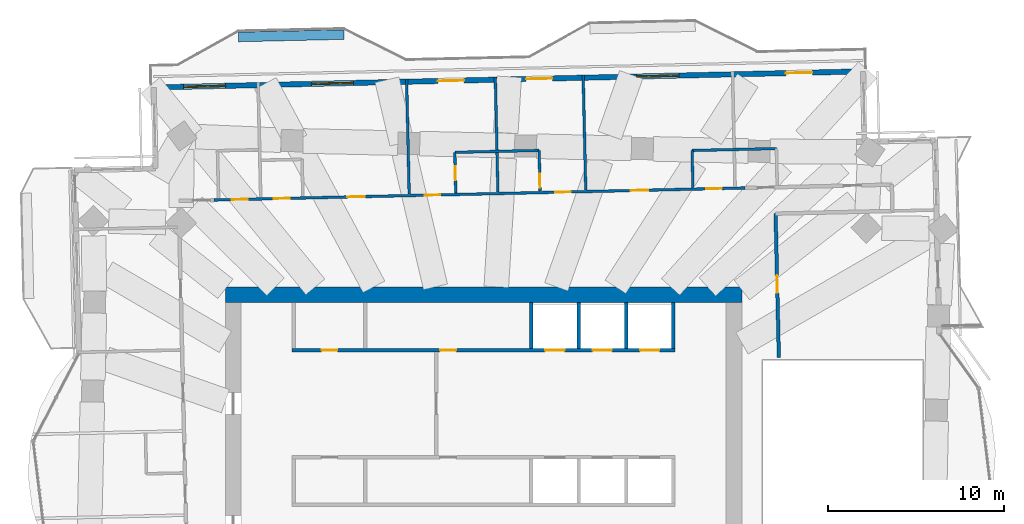
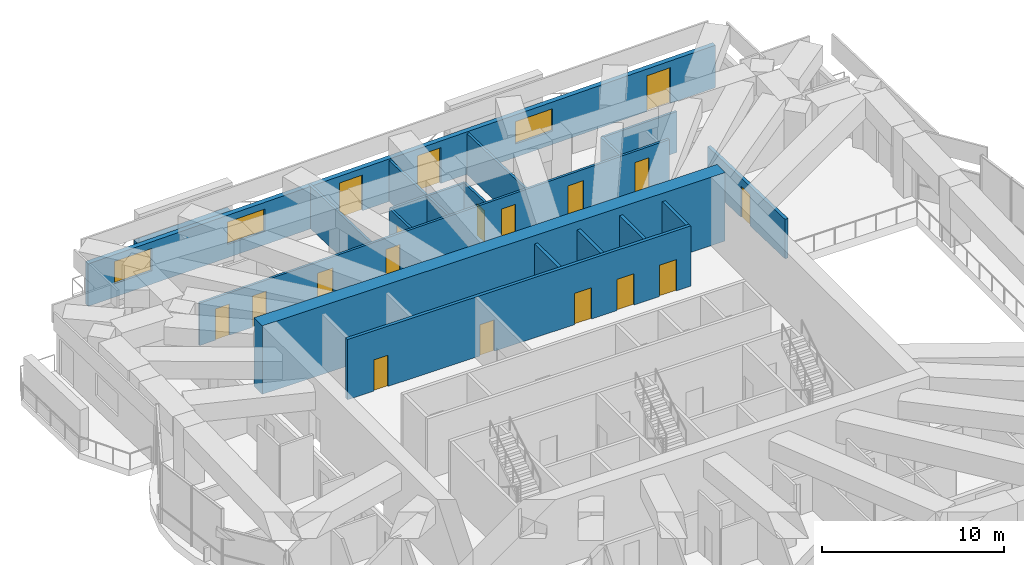
# One storey, part 12 of 17: 18 doors, 18 walls, 3 windows, 21 openings.
"""IFC4 building model written with IfcOpenShell, lengths in metres."""

from ifc_helpers import new_model, si_unit, direction, frame, frame_2d, origin, place, context, subcontext, project, spatial, rectangle, extrude, material, layer, layer_set, type_object, element, fill, save


model = new_model("IFC4")

# Units and contexts
model_context = context("Model", 3, precision=1e-05, world=origin(), true_north=direction((0.0, 1.0)))
body_context = subcontext(model_context, "Body", "Model", "MODEL_VIEW")
ifc_project = project(units=[si_unit("LENGTHUNIT", "METRE"), si_unit("AREAUNIT", "SQUARE_METRE"), si_unit("VOLUMEUNIT", "CUBIC_METRE"), si_unit("PLANEANGLEUNIT", "RADIAN"), si_unit("MASSUNIT", "GRAM", prefix="KILO")], contexts=[model_context])

# Site, building, storey
site_placement = place(None, origin())
site = spatial("IfcSite", under=ifc_project, at=site_placement, CompositionType="ELEMENT")
building_placement = place(site_placement, origin())
building = spatial("IfcBuilding", under=site, at=building_placement, Name="Mangrove Gate Tower", CompositionType="ELEMENT")
storey_placement = place(building_placement, frame((0.0, 0.0, 170.699951171875)))
storey = spatial("IfcBuildingStorey", under=building, at=storey_placement, Name="L43", CompositionType="ELEMENT", Elevation=170.699951171875)

# Wall, openings, doors
ifc_material_1 = material(Name="Concrete C60/75", Category="concrete")
ifc_layer_1 = layer(ifc_material_1, 0.199951171875)
ifc_layer_set_1 = layer_set([ifc_layer_1], Name="Core shaft wall 200 C60/75")
wall_type_1 = type_object("IfcWallType", Name="Core shaft wall 200 C60/75", PredefinedType="SHEAR", material=ifc_layer_set_1)
wall_1_placement = place(storey_placement, frame((-10.89990234375, 8.10009765625, 0.0), z_axis=(0.0, 0.0, 1.0), x_axis=(1.0, 0.0, 0.0)))
wall_1 = element("IfcWall", 1, at=wall_1_placement, inside=storey, type_object=wall_type_1, Name="WALL-L43-CORE-8", PredefinedType="SHEAR", context=body_context, shape_type="SweptSolid", body=[
    extrude(rectangle(XDim=21.7998046875, YDim=0.199951171875, at=frame_2d((10.89990234375, 0.0))), origin(), (0.0, 0.0, 1.0), 4.050048828125),
])
opening_1_placement = place(wall_1_placement, frame((14.39990234375, 0.0, 0.0)))
opening_1 = element("IfcOpeningElement", 2, at=opening_1_placement, cuts=wall_1, Name="Opening LD", PredefinedType="OPENING", context=body_context, shape_type="SweptSolid", body=[
    extrude(rectangle(XDim=1.10009765625, YDim=2.10009765625, at=frame_2d((0.550048828125, 1.050048828125))), frame((0.0, 0.10986328125, 0.0), z_axis=(0.0, -1.0, 0.0), x_axis=(1.0, 0.0, 0.0)), (0.0, 0.0, 1.0), 0.219970703125),
])
opening_2_placement = place(wall_1_placement, frame((17.10009765625, 0.0, 0.0)))
opening_2 = element("IfcOpeningElement", 3, at=opening_2_placement, cuts=wall_1, Name="Opening LD", PredefinedType="OPENING", context=body_context, shape_type="SweptSolid", body=[
    extrude(rectangle(XDim=1.10009765625, YDim=2.10009765625, at=frame_2d((0.550048828125, 1.050048828125))), frame((0.0, 0.10986328125, 0.0), z_axis=(0.0, -1.0, 0.0), x_axis=(1.0, 0.0, 0.0)), (0.0, 0.0, 1.0), 0.219970703125),
])
opening_3_placement = place(wall_1_placement, frame((19.800048828125, 0.0, 0.0)))
opening_3 = element("IfcOpeningElement", 4, at=opening_3_placement, cuts=wall_1, Name="Opening LD", PredefinedType="OPENING", context=body_context, shape_type="SweptSolid", body=[
    extrude(rectangle(XDim=1.10009765625, YDim=2.10009765625, at=frame_2d((0.550048828125, 1.050048828125))), frame((0.0, 0.10986328125, 0.0), z_axis=(0.0, -1.0, 0.0), x_axis=(1.0, 0.0, 0.0)), (0.0, 0.0, 1.0), 0.219970703125),
])
opening_4_placement = place(wall_1_placement, frame((1.675048828125, 0.0, 0.0)))
opening_4 = element("IfcOpeningElement", 5, at=opening_4_placement, cuts=wall_1, Name="Opening KD", PredefinedType="OPENING", context=body_context, shape_type="SweptSolid", body=[
    extrude(rectangle(XDim=0.89990234375, YDim=2.10009765625, at=frame_2d((0.449951171875, 1.050048828125))), frame((0.0, 0.10986328125, 0.0), z_axis=(0.0, -1.0, 0.0), x_axis=(1.0, 0.0, 0.0)), (0.0, 0.0, 1.0), 0.219970703125),
])
opening_5_placement = place(wall_1_placement, frame((8.425048828125, 0.0, 0.0)))
opening_5 = element("IfcOpeningElement", 6, at=opening_5_placement, cuts=wall_1, Name="Opening KD", PredefinedType="OPENING", context=body_context, shape_type="SweptSolid", body=[
    extrude(rectangle(XDim=0.89990234375, YDim=2.10009765625, at=frame_2d((0.449951171875, 1.050048828125))), frame((0.0, 0.10986328125, 0.0), z_axis=(0.0, -1.0, 0.0), x_axis=(1.0, 0.0, 0.0)), (0.0, 0.0, 1.0), 0.219970703125),
])
ifc_material_2 = material(Name="Fire-rated steel door set", Category="steel")
door_type_1 = type_object("IfcDoorType", Name="Core room door FD30S 900x2100", OperationType="SINGLE_SWING_RIGHT", PredefinedType="DOOR", material=ifc_material_2)
door_1_placement = place(opening_4_placement, origin())
door_1 = element("IfcDoor", 7, at=door_1_placement, inside=storey, type_object=door_type_1, Name="Core room door Pantry store", OperationType="SINGLE_SWING_RIGHT", OverallHeight=2.10009765625, OverallWidth=0.89990234375, PredefinedType="DOOR", context=body_context, shape_type="SweptSolid", body=[
    extrude(rectangle(XDim=0.89990234375, YDim=2.10009765625, at=frame_2d((0.449951171875, 1.050048828125))), frame((0.0, 0.02490234375, 0.0), z_axis=(0.0, -1.0, 0.0), x_axis=(1.0, 0.0, 0.0)), (0.0, 0.0, 1.0), 0.050048828125),
])
fill(opening_4, door_1)
door_2_placement = place(opening_5_placement, origin())
door_2 = element("IfcDoor", 8, at=door_2_placement, inside=storey, type_object=door_type_1, Name="Core room door Cleaner's store", OperationType="SINGLE_SWING_RIGHT", OverallHeight=2.10009765625, OverallWidth=0.89990234375, PredefinedType="DOOR", context=body_context, shape_type="SweptSolid", body=[
    extrude(rectangle(XDim=0.89990234375, YDim=2.10009765625, at=frame_2d((0.449951171875, 1.050048828125))), frame((0.0, 0.02490234375, 0.0), z_axis=(0.0, -1.0, 0.0), x_axis=(1.0, 0.0, 0.0)), (0.0, 0.0, 1.0), 0.050048828125),
])
fill(opening_5, door_2)
ifc_material_3 = material(Name="Stainless steel 316", Category="steel")
door_type_2 = type_object("IfcDoorType", Name="Lift landing door 1100x2100", OperationType="SLIDING_TO_LEFT", PredefinedType="DOOR", material=ifc_material_3)
door_3_placement = place(opening_1_placement, origin())
door_3 = element("IfcDoor", 9, at=door_3_placement, inside=storey, type_object=door_type_2, Name="Landing door LD M04", OperationType="SLIDING_TO_LEFT", OverallHeight=2.10009765625, OverallWidth=1.10009765625, PredefinedType="DOOR", context=body_context, shape_type="SweptSolid", body=[
    extrude(rectangle(XDim=1.10009765625, YDim=2.10009765625, at=frame_2d((0.550048828125, 1.050048828125))), frame((0.0, 0.02490234375, 0.0), z_axis=(0.0, -1.0, 0.0), x_axis=(1.0, 0.0, 0.0)), (0.0, 0.0, 1.0), 0.050048828125),
])
fill(opening_1, door_3)
door_4_placement = place(opening_2_placement, origin())
door_4 = element("IfcDoor", 10, at=door_4_placement, inside=storey, type_object=door_type_2, Name="Landing door LD M05", OperationType="SLIDING_TO_LEFT", OverallHeight=2.10009765625, OverallWidth=1.10009765625, PredefinedType="DOOR", context=body_context, shape_type="SweptSolid", body=[
    extrude(rectangle(XDim=1.10009765625, YDim=2.10009765625, at=frame_2d((0.550048828125, 1.050048828125))), frame((0.0, 0.02490234375, 0.0), z_axis=(0.0, -1.0, 0.0), x_axis=(1.0, 0.0, 0.0)), (0.0, 0.0, 1.0), 0.050048828125),
])
fill(opening_2, door_4)
door_5_placement = place(opening_3_placement, origin())
door_5 = element("IfcDoor", 11, at=door_5_placement, inside=storey, type_object=door_type_2, Name="Landing door LD M06", OperationType="SLIDING_TO_LEFT", OverallHeight=2.10009765625, OverallWidth=1.10009765625, PredefinedType="DOOR", context=body_context, shape_type="SweptSolid", body=[
    extrude(rectangle(XDim=1.10009765625, YDim=2.10009765625, at=frame_2d((0.550048828125, 1.050048828125))), frame((0.0, 0.02490234375, 0.0), z_axis=(0.0, -1.0, 0.0), x_axis=(1.0, 0.0, 0.0)), (0.0, 0.0, 1.0), 0.050048828125),
])
fill(opening_3, door_5)

# Walls
for number, where, z_axis, x_axis, name in (
    (12, (2.699951171875, 8.199951171875, 0.0), (0.0, 0.0, 1.0), (0.0, 1.0, 0.0), "WALL-L43-CORE-27"),
    (13, (5.39990234375, 8.199951171875, 0.0), (0.0, 0.0, 1.0), (0.0, 1.0, 0.0), "WALL-L43-CORE-28"),
    (14, (8.10009765625, 8.199951171875, 0.0), (0.0, 0.0, 1.0), (0.0, 1.0, 0.0), "WALL-L43-CORE-29"),
    (15, (10.800048828125, 8.199951171875, 0.0), (0.0, 0.0, 1.0), (0.0, 1.0, 0.0), "WALL-L43-CORE-30"),
):
    element("IfcWall", number, at=place(storey_placement, frame(where, z_axis=z_axis, x_axis=x_axis)), inside=storey, type_object=wall_type_1, Name=name, PredefinedType="SHEAR", context=body_context, shape_type="SweptSolid", body=[
        extrude(rectangle(XDim=2.60009765625, YDim=0.199951171875, at=frame_2d((1.300048828125, 0.0))), origin(), (0.0, 0.0, 1.0), 4.050048828125),
    ])
ifc_material_4 = material(Name="Concrete C60/75", Category="concrete")
ifc_layer_2 = layer(ifc_material_4, 0.89990234375)
ifc_layer_set_2 = layer_set([ifc_layer_2], Name="Core wall 900 C60/75")
wall_type_2 = type_object("IfcWallType", Name="Core wall 900 C60/75", PredefinedType="SHEAR", material=ifc_layer_set_2)
wall_2_placement = place(storey_placement, frame((-14.699951171875, 11.25, 0.0), z_axis=(0.0, 0.0, 1.0), x_axis=(1.0, 0.0, 0.0)))
element("IfcWall", 16, at=wall_2_placement, inside=storey, type_object=wall_type_2, Name="WALL-L43-CORE-2", PredefinedType="SHEAR", context=body_context, shape_type="SweptSolid", body=[
    extrude(rectangle(XDim=29.39990234375, YDim=0.89990234375, at=frame_2d((14.699951171875, 0.0))), origin(), (0.0, 0.0, 1.0), 4.60009765625),
])

# Wall, opening, door
ifc_material_5 = material(Name="Gypsum board on steel stud, EI 60", Category="steel")
ifc_layer_3 = layer(ifc_material_5, 0.199951171875)
ifc_layer_set_3 = layer_set([ifc_layer_3], Name="Corridor wall EI 60")
wall_type_3 = type_object("IfcWallType", Name="Corridor wall EI 60", PredefinedType="PARTITIONING", material=ifc_layer_set_3)
wall_3_placement = place(storey_placement, frame((16.797119140625, 7.674072265625, 0.0), z_axis=(0.0, 0.0, 1.0), x_axis=(-0.022698399288, 0.999742358145, 0.0)))
wall_3 = element("IfcWall", 17, at=wall_3_placement, inside=storey, type_object=wall_type_3, Name="WALL-L43-035", PredefinedType="PARTITIONING", context=body_context, shape_type="SweptSolid", body=[
    extrude(rectangle(XDim=8.196044921875, YDim=0.199951171875, at=frame_2d((4.09814453125, 0.0))), origin(), (0.0, 0.0, 1.0), 2.650146484375),
])
opening_6_placement = place(wall_3_placement, frame((3.68310546875, 0.0, 0.0)))
opening_6 = element("IfcOpeningElement", 18, at=opening_6_placement, cuts=wall_3, Name="Opening AD", PredefinedType="OPENING", context=body_context, shape_type="SweptSolid", body=[
    extrude(rectangle(XDim=1.0, YDim=2.10009765625, at=frame_2d((0.5, 1.050048828125))), frame((0.0, 0.10986328125, 0.0), z_axis=(0.0, -1.0, 0.0), x_axis=(1.0, 0.0, 0.0)), (0.0, 0.0, 1.0), 0.219970703125),
])
ifc_material_6 = material(Name="Timber door leaf", Category="wood")
door_type_3 = type_object("IfcDoorType", Name="Amenity door 1000", OperationType="SINGLE_SWING_LEFT", PredefinedType="DOOR", material=ifc_material_6)
door_6_placement = place(opening_6_placement, origin())
door_6 = element("IfcDoor", 19, at=door_6_placement, inside=storey, type_object=door_type_3, Name="DOOR-L43-LNG-c3a", OperationType="SINGLE_SWING_LEFT", OverallHeight=2.10009765625, OverallWidth=1.0, PredefinedType="DOOR", context=body_context, shape_type="SweptSolid", body=[
    extrude(rectangle(XDim=1.0, YDim=2.10009765625, at=frame_2d((0.5, 1.050048828125))), frame((0.0, 0.02490234375, 0.0), z_axis=(0.0, -1.0, 0.0), x_axis=(1.0, 0.0, 0.0)), (0.0, 0.0, 1.0), 0.050048828125),
])
fill(opening_6, door_6)

# Wall, openings, doors, windows
ifc_material_7 = material(Name="Limestone", Category="masonry")
ifc_layer_4 = layer(ifc_material_7, 0.0400390625, Name="Limestone cladding")
ifc_material_8 = material(Name="Ventilated air gap")
ifc_layer_5 = layer(ifc_material_8, 0.0400390625, Name="Ventilated cavity")
ifc_material_9 = material(Name="Mineral wool insulation")
ifc_layer_6 = layer(ifc_material_9, 0.06005859375, Name="Insulation")
ifc_material_10 = material(Name="Breather membrane")
ifc_layer_7 = layer(ifc_material_10, 0.001953125, Name="Breather membrane")
ifc_material_11 = material(Name="Concrete C20/25 blockwork", Category="masonry")
ifc_layer_8 = layer(ifc_material_11, 0.14990234375, Name="Blockwork backing wall")
ifc_material_12 = material(Name="Gypsum plaster")
ifc_layer_9 = layer(ifc_material_12, 0.008056640625, Name="Internal plaster")
ifc_layer_set_4 = layer_set([ifc_layer_4, ifc_layer_5, ifc_layer_6, ifc_layer_7, ifc_layer_8, ifc_layer_9], Name="External wall 300 limestone cladding")
wall_type_4 = type_object("IfcWallType", Name="External wall 300 limestone cladding", PredefinedType="SOLIDWALL", material=ifc_layer_set_4)
wall_4_placement = place(storey_placement, frame((21.589111328125, 23.958984375, 0.0), z_axis=(0.0, 0.0, 1.0), x_axis=(-0.999742671382, -0.022684598702, 0.0)))
wall_4 = element("IfcWall", 20, at=wall_4_placement, inside=storey, type_object=wall_type_4, Name="WALL-L43-N5", PredefinedType="SOLIDWALL", context=body_context, shape_type="SweptSolid", body=[
    extrude(rectangle(XDim=40.380615234375, YDim=0.300048828125, at=frame_2d((20.1904296875, 0.0))), origin(), (0.0, 0.0, 1.0), 2.85009765625),
])
opening_7_placement = place(wall_4_placement, frame((2.889892578125, 0.0, 0.0)))
opening_7 = element("IfcOpeningElement", 21, at=opening_7_placement, cuts=wall_4, Name="Opening BD1", PredefinedType="OPENING", context=body_context, shape_type="SweptSolid", body=[
    extrude(rectangle(XDim=1.5, YDim=2.39990234375, at=frame_2d((0.75, 1.199951171875))), frame((0.0, 0.159912109375, 0.0), z_axis=(0.0, -1.0, 0.0), x_axis=(1.0, 0.0, 0.0)), (0.0, 0.0, 1.0), 0.320068359375),
])
opening_8_placement = place(wall_4_placement, frame((10.47998046875, 0.0, 0.89990234375)))
opening_8 = element("IfcOpeningElement", 22, at=opening_8_placement, cuts=wall_4, Name="Opening W2", PredefinedType="OPENING", context=body_context, shape_type="SweptSolid", body=[
    extrude(rectangle(XDim=2.39990234375, YDim=1.5, at=frame_2d((1.199951171875, 0.75))), frame((0.0, 0.159912109375, 0.0), z_axis=(0.0, -1.0, 0.0), x_axis=(1.0, 0.0, 0.0)), (0.0, 0.0, 1.0), 0.320068359375),
])
opening_9_placement = place(wall_4_placement, frame((17.679931640625, 0.0, 0.0)))
opening_9 = element("IfcOpeningElement", 23, at=opening_9_placement, cuts=wall_4, Name="Opening BD1", PredefinedType="OPENING", context=body_context, shape_type="SweptSolid", body=[
    extrude(rectangle(XDim=1.5, YDim=2.39990234375, at=frame_2d((0.75, 1.199951171875))), frame((0.0, 0.159912109375, 0.0), z_axis=(0.0, -1.0, 0.0), x_axis=(1.0, 0.0, 0.0)), (0.0, 0.0, 1.0), 0.320068359375),
])
opening_10_placement = place(wall_4_placement, frame((22.705078125, 0.0, 0.0)))
opening_10 = element("IfcOpeningElement", 24, at=opening_10_placement, cuts=wall_4, Name="Opening BD1", PredefinedType="OPENING", context=body_context, shape_type="SweptSolid", body=[
    extrude(rectangle(XDim=1.5, YDim=2.39990234375, at=frame_2d((0.75, 1.199951171875))), frame((0.0, 0.159912109375, 0.0), z_axis=(0.0, -1.0, 0.0), x_axis=(1.0, 0.0, 0.0)), (0.0, 0.0, 1.0), 0.320068359375),
])
opening_11_placement = place(wall_4_placement, frame((29.0048828125, 0.0, 0.89990234375)))
opening_11 = element("IfcOpeningElement", 25, at=opening_11_placement, cuts=wall_4, Name="Opening W2", PredefinedType="OPENING", context=body_context, shape_type="SweptSolid", body=[
    extrude(rectangle(XDim=2.39990234375, YDim=1.5, at=frame_2d((1.199951171875, 0.75))), frame((0.0, 0.159912109375, 0.0), z_axis=(0.0, -1.0, 0.0), x_axis=(1.0, 0.0, 0.0)), (0.0, 0.0, 1.0), 0.320068359375),
])
opening_12_placement = place(wall_4_placement, frame((36.280029296875, 0.0, 0.89990234375)))
opening_12 = element("IfcOpeningElement", 26, at=opening_12_placement, cuts=wall_4, Name="Opening W2", PredefinedType="OPENING", context=body_context, shape_type="SweptSolid", body=[
    extrude(rectangle(XDim=2.39990234375, YDim=1.5, at=frame_2d((1.199951171875, 0.75))), frame((0.0, 0.159912109375, 0.0), z_axis=(0.0, -1.0, 0.0), x_axis=(1.0, 0.0, 0.0)), (0.0, 0.0, 1.0), 0.320068359375),
])
ifc_material_13 = material(Name="Aluminium frame with laminated clear glass", Category="aluminium")
door_type_4 = type_object("IfcDoorType", Name="Balcony sliding door 1500x2400", OperationType="SLIDING_TO_LEFT", PredefinedType="DOOR", material=ifc_material_13)
door_7_placement = place(opening_7_placement, origin())
door_7 = element("IfcDoor", 27, at=door_7_placement, inside=storey, type_object=door_type_4, Name="DOOR-L43-N5-1", OperationType="SLIDING_TO_LEFT", OverallHeight=2.39990234375, OverallWidth=1.5, PredefinedType="DOOR", context=body_context, shape_type="SweptSolid", body=[
    extrude(rectangle(XDim=1.5, YDim=2.39990234375, at=frame_2d((0.75, 1.199951171875))), frame((0.0, 0.02490234375, 0.0), z_axis=(0.0, -1.0, 0.0), x_axis=(1.0, 0.0, 0.0)), (0.0, 0.0, 1.0), 0.050048828125),
])
fill(opening_7, door_7)
door_8_placement = place(opening_9_placement, origin())
door_8 = element("IfcDoor", 28, at=door_8_placement, inside=storey, type_object=door_type_4, Name="DOOR-L43-N5-3", OperationType="SLIDING_TO_LEFT", OverallHeight=2.39990234375, OverallWidth=1.5, PredefinedType="DOOR", context=body_context, shape_type="SweptSolid", body=[
    extrude(rectangle(XDim=1.5, YDim=2.39990234375, at=frame_2d((0.75, 1.199951171875))), frame((0.0, 0.02490234375, 0.0), z_axis=(0.0, -1.0, 0.0), x_axis=(1.0, 0.0, 0.0)), (0.0, 0.0, 1.0), 0.050048828125),
])
fill(opening_9, door_8)
door_9_placement = place(opening_10_placement, origin())
door_9 = element("IfcDoor", 29, at=door_9_placement, inside=storey, type_object=door_type_4, Name="DOOR-L43-N5-4", OperationType="SLIDING_TO_LEFT", OverallHeight=2.39990234375, OverallWidth=1.5, PredefinedType="DOOR", context=body_context, shape_type="SweptSolid", body=[
    extrude(rectangle(XDim=1.5, YDim=2.39990234375, at=frame_2d((0.75, 1.199951171875))), frame((0.0, 0.02490234375, 0.0), z_axis=(0.0, -1.0, 0.0), x_axis=(1.0, 0.0, 0.0)), (0.0, 0.0, 1.0), 0.050048828125),
])
fill(opening_10, door_9)
ifc_material_14 = material(Name="Aluminium frame with double-glazed low-e glass", Category="aluminium")
window_type = type_object("IfcWindowType", Name="Corner room window 2400x1500", PartitioningType="DOUBLE_PANEL_VERTICAL", PredefinedType="WINDOW", material=ifc_material_14)
window_1_placement = place(opening_8_placement, origin())
window_1 = element("IfcWindow", 30, at=window_1_placement, inside=storey, type_object=window_type, Name="WIN-L43-N5-2", OverallHeight=1.5, OverallWidth=2.39990234375, PartitioningType="DOUBLE_PANEL_VERTICAL", PredefinedType="WINDOW", context=body_context, shape_type="SweptSolid", body=[
    extrude(rectangle(XDim=2.39990234375, YDim=1.5, at=frame_2d((1.199951171875, 0.75))), frame((0.0, 0.030029296875, 0.0), z_axis=(0.0, -1.0, 0.0), x_axis=(1.0, 0.0, 0.0)), (0.0, 0.0, 1.0), 0.06005859375),
])
fill(opening_8, window_1)
window_2_placement = place(opening_11_placement, origin())
window_2 = element("IfcWindow", 31, at=window_2_placement, inside=storey, type_object=window_type, Name="WIN-L43-N5-5", OverallHeight=1.5, OverallWidth=2.39990234375, PartitioningType="DOUBLE_PANEL_VERTICAL", PredefinedType="WINDOW", context=body_context, shape_type="SweptSolid", body=[
    extrude(rectangle(XDim=2.39990234375, YDim=1.5, at=frame_2d((1.199951171875, 0.75))), frame((0.0, 0.030029296875, 0.0), z_axis=(0.0, -1.0, 0.0), x_axis=(1.0, 0.0, 0.0)), (0.0, 0.0, 1.0), 0.06005859375),
])
fill(opening_11, window_2)
window_3_placement = place(opening_12_placement, origin())
window_3 = element("IfcWindow", 32, at=window_3_placement, inside=storey, type_object=window_type, Name="WIN-L43-N5-6", OverallHeight=1.5, OverallWidth=2.39990234375, PartitioningType="DOUBLE_PANEL_VERTICAL", PredefinedType="WINDOW", context=body_context, shape_type="SweptSolid", body=[
    extrude(rectangle(XDim=2.39990234375, YDim=1.5, at=frame_2d((1.199951171875, 0.75))), frame((0.0, 0.030029296875, 0.0), z_axis=(0.0, -1.0, 0.0), x_axis=(1.0, 0.0, 0.0)), (0.0, 0.0, 1.0), 0.06005859375),
])
fill(opening_12, window_3)

# Wall, openings, doors
ifc_material_15 = material(Name="Gypsum board on steel stud, EI 60", Category="steel")
ifc_layer_10 = layer(ifc_material_15, 0.14990234375)
ifc_layer_set_5 = layer_set([ifc_layer_10], Name="Party wall 150 EI 60")
wall_type_5 = type_object("IfcWallType", Name="Party wall 150 EI 60", PredefinedType="PARTITIONING", material=ifc_layer_set_5)
wall_5_placement = place(storey_placement, frame((-15.345947265625, 16.638916015625, 0.0), z_axis=(0.0, 0.0, 1.0), x_axis=(0.999742506322, 0.022691871978, 0.0)))
wall_5 = element("IfcWall", 33, at=wall_5_placement, inside=storey, type_object=wall_type_5, Name="WALL-L43-042", PredefinedType="PARTITIONING", context=body_context, shape_type="SweptSolid", body=[
    extrude(rectangle(XDim=30.232666015625, YDim=0.14990234375, at=frame_2d((15.1162109375, 0.0))), origin(), (0.0, 0.0, 1.0), 2.85009765625),
])
opening_13_placement = place(wall_5_placement, frame((23.7119140625, 0.0, 0.0)))
opening_13 = element("IfcOpeningElement", 34, at=opening_13_placement, cuts=wall_5, Name="Opening AD", PredefinedType="OPENING", context=body_context, shape_type="SweptSolid", body=[
    extrude(rectangle(XDim=1.0, YDim=2.10009765625, at=frame_2d((0.5, 1.050048828125))), frame((0.0, 0.0849609375, 0.0), z_axis=(0.0, -1.0, 0.0), x_axis=(1.0, 0.0, 0.0)), (0.0, 0.0, 1.0), 0.169921875),
])
opening_14_placement = place(wall_5_placement, frame((28.011962890625, 0.0, 0.0)))
opening_14 = element("IfcOpeningElement", 35, at=opening_14_placement, cuts=wall_5, Name="Opening SD", PredefinedType="OPENING", context=body_context, shape_type="SweptSolid", body=[
    extrude(rectangle(XDim=0.89990234375, YDim=2.10009765625, at=frame_2d((0.449951171875, 1.050048828125))), frame((0.0, 0.0849609375, 0.0), z_axis=(0.0, -1.0, 0.0), x_axis=(1.0, 0.0, 0.0)), (0.0, 0.0, 1.0), 0.169921875),
])
opening_15_placement = place(wall_5_placement, frame((19.412109375, 0.0, 0.0)))
opening_15 = element("IfcOpeningElement", 36, at=opening_15_placement, cuts=wall_5, Name="Opening BD", PredefinedType="OPENING", context=body_context, shape_type="SweptSolid", body=[
    extrude(rectangle(XDim=0.89990234375, YDim=2.10009765625, at=frame_2d((0.449951171875, 1.050048828125))), frame((0.0, 0.0849609375, 0.0), z_axis=(0.0, -1.0, 0.0), x_axis=(1.0, 0.0, 0.0)), (0.0, 0.0, 1.0), 0.169921875),
])
opening_16_placement = place(wall_5_placement, frame((11.987060546875, 0.0, 0.0)))
opening_16 = element("IfcOpeningElement", 37, at=opening_16_placement, cuts=wall_5, Name="Opening BD", PredefinedType="OPENING", context=body_context, shape_type="SweptSolid", body=[
    extrude(rectangle(XDim=0.89990234375, YDim=2.10009765625, at=frame_2d((0.449951171875, 1.050048828125))), frame((0.0, 0.0849609375, 0.0), z_axis=(0.0, -1.0, 0.0), x_axis=(1.0, 0.0, 0.0)), (0.0, 0.0, 1.0), 0.169921875),
])
opening_17_placement = place(wall_5_placement, frame((7.5869140625, 0.0, 0.0)))
opening_17 = element("IfcOpeningElement", 38, at=opening_17_placement, cuts=wall_5, Name="Opening AD", PredefinedType="OPENING", context=body_context, shape_type="SweptSolid", body=[
    extrude(rectangle(XDim=1.0, YDim=2.10009765625, at=frame_2d((0.5, 1.050048828125))), frame((0.0, 0.0849609375, 0.0), z_axis=(0.0, -1.0, 0.0), x_axis=(1.0, 0.0, 0.0)), (0.0, 0.0, 1.0), 0.169921875),
])
opening_18_placement = place(wall_5_placement, frame((3.412109375, 0.0, 0.0)))
opening_18 = element("IfcOpeningElement", 39, at=opening_18_placement, cuts=wall_5, Name="Opening SD", PredefinedType="OPENING", context=body_context, shape_type="SweptSolid", body=[
    extrude(rectangle(XDim=0.89990234375, YDim=2.10009765625, at=frame_2d((0.449951171875, 1.050048828125))), frame((0.0, 0.0849609375, 0.0), z_axis=(0.0, -1.0, 0.0), x_axis=(1.0, 0.0, 0.0)), (0.0, 0.0, 1.0), 0.169921875),
])
opening_19_placement = place(wall_5_placement, frame((1.011962890625, 0.0, 0.0)))
opening_19 = element("IfcOpeningElement", 40, at=opening_19_placement, cuts=wall_5, Name="Opening SD", PredefinedType="OPENING", context=body_context, shape_type="SweptSolid", body=[
    extrude(rectangle(XDim=0.89990234375, YDim=2.10009765625, at=frame_2d((0.449951171875, 1.050048828125))), frame((0.0, 0.0849609375, 0.0), z_axis=(0.0, -1.0, 0.0), x_axis=(1.0, 0.0, 0.0)), (0.0, 0.0, 1.0), 0.169921875),
])
door_10_placement = place(opening_13_placement, origin())
door_10 = element("IfcDoor", 41, at=door_10_placement, inside=storey, type_object=door_type_3, Name="DOOR-L43-LNG-c3b", OperationType="SINGLE_SWING_LEFT", OverallHeight=2.10009765625, OverallWidth=1.0, PredefinedType="DOOR", context=body_context, shape_type="SweptSolid", body=[
    extrude(rectangle(XDim=1.0, YDim=2.10009765625, at=frame_2d((0.5, 1.050048828125))), frame((0.0, 0.02490234375, 0.0), z_axis=(0.0, -1.0, 0.0), x_axis=(1.0, 0.0, 0.0)), (0.0, 0.0, 1.0), 0.050048828125),
])
fill(opening_13, door_10)
door_11_placement = place(opening_17_placement, origin())
door_11 = element("IfcDoor", 42, at=door_11_placement, inside=storey, type_object=door_type_3, Name="DOOR-L43-LNG-c5a", OperationType="SINGLE_SWING_RIGHT", OverallHeight=2.10009765625, OverallWidth=1.0, PredefinedType="DOOR", context=body_context, shape_type="SweptSolid", body=[
    extrude(rectangle(XDim=1.0, YDim=2.10009765625, at=frame_2d((0.5, 1.050048828125))), frame((0.0, 0.02490234375, 0.0), z_axis=(0.0, -1.0, 0.0), x_axis=(1.0, 0.0, 0.0)), (0.0, 0.0, 1.0), 0.050048828125),
])
fill(opening_17, door_11)
ifc_material_16 = material(Name="Timber door leaf", Category="wood")
door_type_5 = type_object("IfcDoorType", Name="Bedroom door 900", OperationType="SINGLE_SWING_LEFT", PredefinedType="DOOR", material=ifc_material_16)
door_12_placement = place(opening_15_placement, origin())
door_12 = element("IfcDoor", 43, at=door_12_placement, inside=storey, type_object=door_type_5, Name="DOOR-L43-BED-c303", OperationType="SINGLE_SWING_LEFT", OverallHeight=2.10009765625, OverallWidth=0.89990234375, PredefinedType="DOOR", context=body_context, shape_type="SweptSolid", body=[
    extrude(rectangle(XDim=0.89990234375, YDim=2.10009765625, at=frame_2d((0.449951171875, 1.050048828125))), frame((0.0, 0.02490234375, 0.0), z_axis=(0.0, -1.0, 0.0), x_axis=(1.0, 0.0, 0.0)), (0.0, 0.0, 1.0), 0.050048828125),
])
fill(opening_15, door_12)
door_13_placement = place(opening_16_placement, origin())
door_13 = element("IfcDoor", 44, at=door_13_placement, inside=storey, type_object=door_type_5, Name="DOOR-L43-BED-c404", OperationType="SINGLE_SWING_RIGHT", OverallHeight=2.10009765625, OverallWidth=0.89990234375, PredefinedType="DOOR", context=body_context, shape_type="SweptSolid", body=[
    extrude(rectangle(XDim=0.89990234375, YDim=2.10009765625, at=frame_2d((0.449951171875, 1.050048828125))), frame((0.0, 0.02490234375, 0.0), z_axis=(0.0, -1.0, 0.0), x_axis=(1.0, 0.0, 0.0)), (0.0, 0.0, 1.0), 0.050048828125),
])
fill(opening_16, door_13)
ifc_material_17 = material(Name="Timber door leaf", Category="wood")
door_type_6 = type_object("IfcDoorType", Name="Service room door 900", OperationType="SINGLE_SWING_LEFT", PredefinedType="DOOR", material=ifc_material_17)
door_14_placement = place(opening_14_placement, origin())
door_14 = element("IfcDoor", 45, at=door_14_placement, inside=storey, type_object=door_type_6, Name="DOOR-L43-LIN-c3b", OperationType="SINGLE_SWING_LEFT", OverallHeight=2.10009765625, OverallWidth=0.89990234375, PredefinedType="DOOR", context=body_context, shape_type="SweptSolid", body=[
    extrude(rectangle(XDim=0.89990234375, YDim=2.10009765625, at=frame_2d((0.449951171875, 1.050048828125))), frame((0.0, 0.02490234375, 0.0), z_axis=(0.0, -1.0, 0.0), x_axis=(1.0, 0.0, 0.0)), (0.0, 0.0, 1.0), 0.050048828125),
])
fill(opening_14, door_14)
door_15_placement = place(opening_18_placement, origin())
door_15 = element("IfcDoor", 46, at=door_15_placement, inside=storey, type_object=door_type_6, Name="DOOR-L43-LIN-c5a", OperationType="SINGLE_SWING_RIGHT", OverallHeight=2.10009765625, OverallWidth=0.89990234375, PredefinedType="DOOR", context=body_context, shape_type="SweptSolid", body=[
    extrude(rectangle(XDim=0.89990234375, YDim=2.10009765625, at=frame_2d((0.449951171875, 1.050048828125))), frame((0.0, 0.02490234375, 0.0), z_axis=(0.0, -1.0, 0.0), x_axis=(1.0, 0.0, 0.0)), (0.0, 0.0, 1.0), 0.050048828125),
])
fill(opening_18, door_15)
door_16_placement = place(opening_19_placement, origin())
door_16 = element("IfcDoor", 47, at=door_16_placement, inside=storey, type_object=door_type_6, Name="DOOR-L43-WC-c5a", OperationType="SINGLE_SWING_LEFT", OverallHeight=2.10009765625, OverallWidth=0.89990234375, PredefinedType="DOOR", context=body_context, shape_type="SweptSolid", body=[
    extrude(rectangle(XDim=0.89990234375, YDim=2.10009765625, at=frame_2d((0.449951171875, 1.050048828125))), frame((0.0, 0.02490234375, 0.0), z_axis=(0.0, -1.0, 0.0), x_axis=(1.0, 0.0, 0.0)), (0.0, 0.0, 1.0), 0.050048828125),
])
fill(opening_19, door_16)

# Wall
wall_6_placement = place(storey_placement, frame((-4.239013671875, 16.969970703125, 0.0), z_axis=(0.0, 0.0, 1.0), x_axis=(-0.02273071641, 0.999741623887, 0.0)))
element("IfcWall", 48, at=wall_6_placement, inside=storey, type_object=wall_type_5, Name="WALL-L43-047", PredefinedType="PARTITIONING", context=body_context, shape_type="SweptSolid", body=[
    extrude(rectangle(XDim=6.5517578125, YDim=0.14990234375, at=frame_2d((3.27587890625, 0.0))), origin(), (0.0, 0.0, 1.0), 2.85009765625),
])

# Wall, opening, door
wall_7_placement = place(storey_placement, frame((-1.590087890625, 17.031005859375, 0.0), z_axis=(0.0, 0.0, 1.0), x_axis=(-0.02279059109, 0.999740260747, 0.0)))
wall_7 = element("IfcWall", 49, at=wall_7_placement, inside=storey, type_object=wall_type_5, Name="WALL-L43-048", PredefinedType="PARTITIONING", context=body_context, shape_type="SweptSolid", body=[
    extrude(rectangle(XDim=2.324462890625, YDim=0.14990234375, at=frame_2d((1.162109375, 0.0))), origin(), (0.0, 0.0, 1.0), 2.75),
])
opening_20_placement = place(wall_7_placement, frame((0.72509765625, 0.0, 0.0)))
opening_20 = element("IfcOpeningElement", 50, at=opening_20_placement, cuts=wall_7, Name="Opening ED", PredefinedType="OPENING", context=body_context, shape_type="SweptSolid", body=[
    extrude(rectangle(XDim=0.800048828125, YDim=2.10009765625, at=frame_2d((0.39990234375, 1.050048828125))), frame((0.0, 0.0849609375, 0.0), z_axis=(0.0, -1.0, 0.0), x_axis=(1.0, 0.0, 0.0)), (0.0, 0.0, 1.0), 0.169921875),
])
ifc_material_18 = material(Name="Timber door leaf", Category="wood")
door_type_7 = type_object("IfcDoorType", Name="En-suite door 800", OperationType="SINGLE_SWING_LEFT", PredefinedType="DOOR", material=ifc_material_18)
door_17_placement = place(opening_20_placement, origin())
door_17 = element("IfcDoor", 51, at=door_17_placement, inside=storey, type_object=door_type_7, Name="DOOR-L43-ENS-c404", OperationType="SINGLE_SWING_RIGHT", OverallHeight=2.10009765625, OverallWidth=0.800048828125, PredefinedType="DOOR", context=body_context, shape_type="SweptSolid", body=[
    extrude(rectangle(XDim=0.800048828125, YDim=2.10009765625, at=frame_2d((0.39990234375, 1.050048828125))), frame((0.0, 0.02490234375, 0.0), z_axis=(0.0, -1.0, 0.0), x_axis=(1.0, 0.0, 0.0)), (0.0, 0.0, 1.0), 0.050048828125),
])
fill(opening_20, door_17)

# Wall
wall_8_placement = place(storey_placement, frame((0.81005859375, 17.0849609375, 0.0), z_axis=(0.0, 0.0, 1.0), x_axis=(-0.022771353855, 0.999740699103, 0.0)))
element("IfcWall", 52, at=wall_8_placement, inside=storey, type_object=wall_type_5, Name="WALL-L43-049", PredefinedType="PARTITIONING", context=body_context, shape_type="SweptSolid", body=[
    extrude(rectangle(XDim=6.55078125, YDim=0.14990234375, at=frame_2d((3.275390625, 0.0))), origin(), (0.0, 0.0, 1.0), 2.75),
])

# Wall, opening, door
wall_9_placement = place(storey_placement, frame((3.208984375, 17.138916015625, 0.0), z_axis=(0.0, 0.0, 1.0), x_axis=(-0.022778632478, 0.99974053329, 0.0)))
wall_9 = element("IfcWall", 53, at=wall_9_placement, inside=storey, type_object=wall_type_5, Name="WALL-L43-050", PredefinedType="PARTITIONING", context=body_context, shape_type="SweptSolid", body=[
    extrude(rectangle(XDim=2.32568359375, YDim=0.14990234375, at=frame_2d((1.162841796875, 0.0))), origin(), (0.0, 0.0, 1.0), 2.75),
])
opening_21_placement = place(wall_9_placement, frame((0.199951171875, 0.0, 0.0)))
opening_21 = element("IfcOpeningElement", 54, at=opening_21_placement, cuts=wall_9, Name="Opening ED", PredefinedType="OPENING", context=body_context, shape_type="SweptSolid", body=[
    extrude(rectangle(XDim=0.800048828125, YDim=2.10009765625, at=frame_2d((0.39990234375, 1.050048828125))), frame((0.0, 0.0849609375, 0.0), z_axis=(0.0, -1.0, 0.0), x_axis=(1.0, 0.0, 0.0)), (0.0, 0.0, 1.0), 0.169921875),
])
door_18_placement = place(opening_21_placement, origin())
door_18 = element("IfcDoor", 55, at=door_18_placement, inside=storey, type_object=door_type_7, Name="DOOR-L43-ENS-c303", OperationType="SINGLE_SWING_LEFT", OverallHeight=2.10009765625, OverallWidth=0.800048828125, PredefinedType="DOOR", context=body_context, shape_type="SweptSolid", body=[
    extrude(rectangle(XDim=0.800048828125, YDim=2.10009765625, at=frame_2d((0.39990234375, 1.050048828125))), frame((0.0, 0.02490234375, 0.0), z_axis=(0.0, -1.0, 0.0), x_axis=(1.0, 0.0, 0.0)), (0.0, 0.0, 1.0), 0.050048828125),
])
fill(opening_21, door_18)

# Walls
wall_10_placement = place(storey_placement, frame((5.80810546875, 17.197998046875, 0.0), z_axis=(0.0, 0.0, 1.0), x_axis=(-0.022618983337, 0.999744158069, 0.0)))
element("IfcWall", 56, at=wall_10_placement, inside=storey, type_object=wall_type_5, Name="WALL-L43-051", PredefinedType="PARTITIONING", context=body_context, shape_type="SweptSolid", body=[
    extrude(rectangle(XDim=6.5517578125, YDim=0.14990234375, at=frame_2d((3.27587890625, 0.0))), origin(), (0.0, 0.0, 1.0), 2.75),
])
wall_11_placement = place(storey_placement, frame((11.906982421875, 17.3369140625, 0.0), z_axis=(0.0, 0.0, 1.0), x_axis=(-0.022637875276, 0.999743730464, 0.0)))
element("IfcWall", 57, at=wall_11_placement, inside=storey, type_object=wall_type_5, Name="WALL-L43-052", PredefinedType="PARTITIONING", context=body_context, shape_type="SweptSolid", body=[
    extrude(rectangle(XDim=2.12451171875, YDim=0.14990234375, at=frame_2d((1.062255859375, 0.0))), origin(), (0.0, 0.0, 1.0), 2.75),
])
for number, where, z_axis, x_axis, name in (
    (58, (11.85888671875, 19.45703125, 0.0), (0.0, 0.0, 1.0), (0.999742596585, 0.02268789488, 0.0), "WALL-L43-056"),
    (59, (-1.64208984375, 19.35107421875, 0.0), (0.0, 0.0, 1.0), (0.999742596585, 0.02268789488, 0.0), "WALL-L43-057"),
):
    element("IfcWall", number, at=place(storey_placement, frame(where, z_axis=z_axis, x_axis=x_axis)), inside=storey, type_object=wall_type_5, Name=name, PredefinedType="PARTITIONING", context=body_context, shape_type="SweptSolid", body=[
        extrude(rectangle(XDim=4.79931640625, YDim=0.14990234375, at=frame_2d((2.399658203125, 0.0))), origin(), (0.0, 0.0, 1.0), 2.75),
    ])
ifc_material_19 = material(Name="Concrete C32/40", Category="concrete")
ifc_layer_11 = layer(ifc_material_19, 0.199951171875, Name="Planter trough wall")
ifc_material_20 = material(Name="Bituminous waterproofing membrane")
ifc_layer_12 = layer(ifc_material_20, 0.0048828125, Name="Waterproofing")
ifc_material_21 = material(Name="Drainage board and gravel")
ifc_layer_13 = layer(ifc_material_21, 0.044921875, Name="Drainage layer")
ifc_material_22 = material(Name="Planting soil")
ifc_layer_14 = layer(ifc_material_22, 0.300048828125, Name="Growing medium")
ifc_layer_set_6 = layer_set([ifc_layer_11, ifc_layer_12, ifc_layer_13, ifc_layer_14], Name="Planter wall 550 C32/40")
wall_type_6 = type_object("IfcWallType", Name="Planter wall 550 C32/40", PredefinedType="USERDEFINED", material=ifc_layer_set_6)
wall_12_placement = place(storey_placement, frame((-13.955078125, 25.91796875, 0.0), z_axis=(0.0, 0.0, 1.0), x_axis=(0.999743178102, 0.022662255828, 0.0)))
element("IfcWall", 60, at=wall_12_placement, inside=storey, type_object=wall_type_6, Name="PLANTER L43 N1.1", ObjectType="PLANTER", PredefinedType="USERDEFINED", context=body_context, shape_type="SweptSolid", body=[
    extrude(rectangle(XDim=6.00048828125, YDim=0.550048828125, at=frame_2d((3.000244140625, 0.0))), origin(), (0.0, 0.0, 1.0), 0.800048828125),
])

save(model, "model.ifc")
